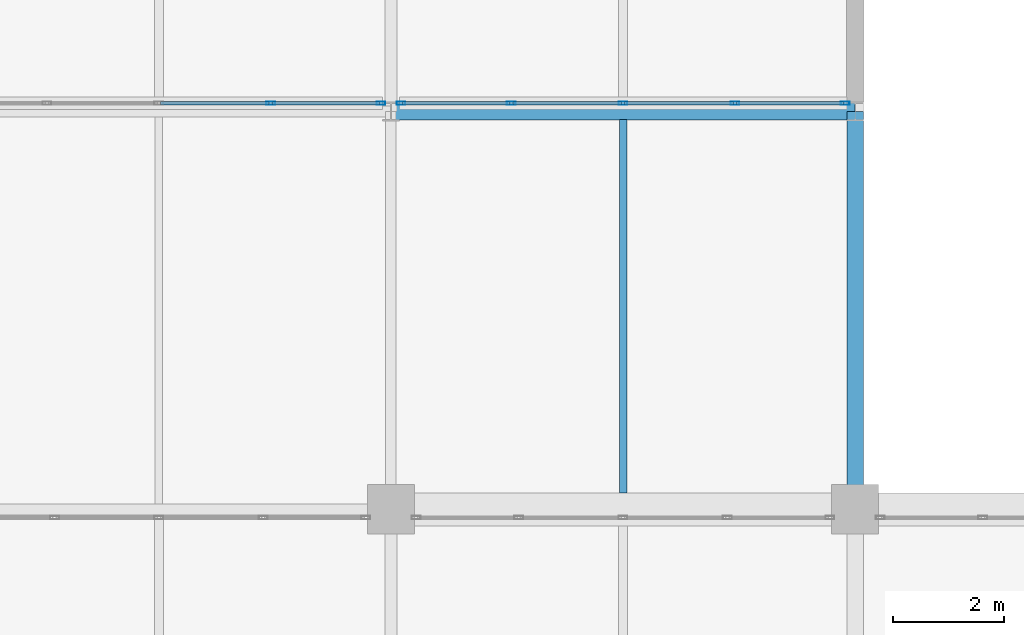
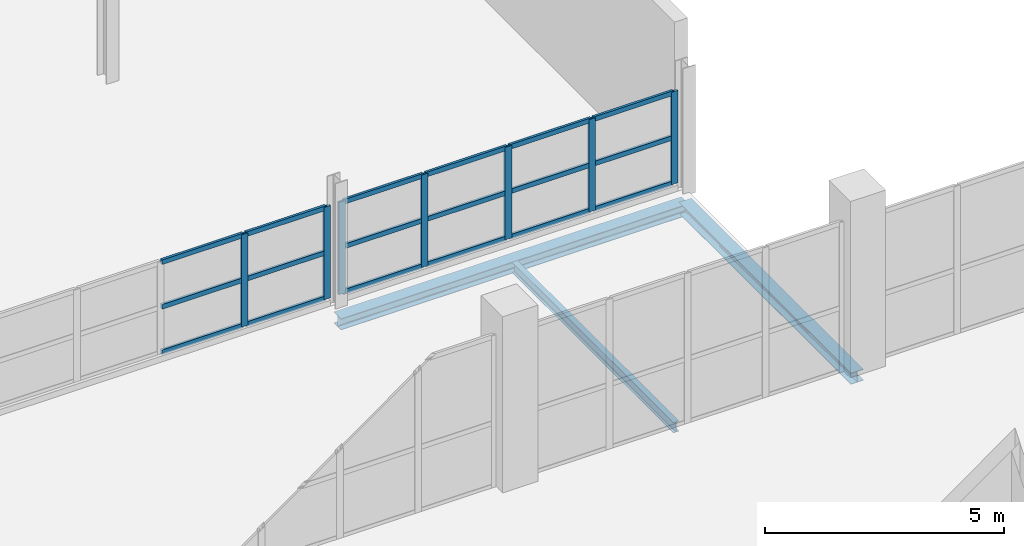
# One storey, part 42 of 103: 25 members, 3 beams, 2 elements without a shape of their own.
"""IFC4 building model written with IfcOpenShell, lengths in metres."""

from ifc_helpers import new_model, si_unit, direction, frame, origin, origin_2d, place, context, subcontext, project, spatial, hollow_rectangle, i_section, extrude, material, material_profile, profile_set, type_object, element, aggregate, save


model = new_model("IFC4")

# Units and contexts
model_context = context("Model", 3, precision=1e-05, world=origin(), true_north=direction((0.0, 1.0)))
body_context = subcontext(model_context, "Body", "Model", "MODEL_VIEW")
ifc_project = project(units=[si_unit("LENGTHUNIT", "METRE"), si_unit("AREAUNIT", "SQUARE_METRE"), si_unit("VOLUMEUNIT", "CUBIC_METRE"), si_unit("PLANEANGLEUNIT", "RADIAN"), si_unit("MASSUNIT", "GRAM", prefix="KILO")], contexts=[model_context])

# Site, building, storey
site_placement = place(None, origin())
site = spatial("IfcSite", under=ifc_project, at=site_placement, CompositionType="ELEMENT")
building_placement = place(site_placement, origin())
building = spatial("IfcBuilding", under=site, at=building_placement, Name="Veltarok Museum of Natural Sciences", CompositionType="ELEMENT")
storey_placement = place(building_placement, frame((0.0, 0.0, 21.89990234375)))
storey = spatial("IfcBuildingStorey", under=building, at=storey_placement, Name="L04", CompositionType="ELEMENT", Elevation=21.89990234375)

# Curtain wall, members
ifc_material_1 = material(Name="Low-iron triple insulated glass", Category="glass")
curtain_wall_type = type_object("IfcCurtainWallType", Name="Curtain Wall System CW-V2S-L04-810x236 (V2 South Setback L04 810x236cm)", PredefinedType="NOTDEFINED", material=ifc_material_1)
curtain_wall_1_placement = place(storey_placement, origin())
curtain_wall_1 = element("IfcCurtainWall", 1, at=curtain_wall_1_placement, inside=storey, type_object=curtain_wall_type, Name="Curtain Wall CW-V2S-L04-810x236 CW-0228", PredefinedType="NOTDEFINED")
ifc_material_2 = material(Name="Thermally broken anodised aluminium", Category="aluminium")
ifc_material_profile_1 = material_profile(ifc_material_2, hollow_rectangle(XDim=0.06005859375, YDim=0.1201171875, WallThickness=0.0048828125, at=origin_2d()), Name="CW TRANSOM 60x120x5")
ifc_profile_set_1 = profile_set([ifc_material_profile_1], Name="Thermally broken anodised aluminium")
member_type_1 = type_object("IfcMemberType", Name="Curtain Wall Horizontal Transom 60x120x5", PredefinedType="USERDEFINED", material=ifc_profile_set_1)
member_1_placement = place(storey_placement, frame((86.22998046875, 26.550048828125, 0.190185546875), z_axis=(1.0, 0.0, 0.0), x_axis=(0.0, 1.0, 0.0)))
member_1 = element("IfcMember", 2, at=member_1_placement, type_object=member_type_1, Name="CW-V2S-L04-810x236 transom 3.1", ObjectType="TRANSOM", PredefinedType="USERDEFINED", context=body_context, shape_type="SweptSolid", body=[
    extrude(hollow_rectangle(XDim=0.06005859375, YDim=0.1201171875, WallThickness=0.0048828125, at=origin_2d()), origin(), (0.0, 0.0, 1.0), 1.965087890625),
])
member_2_placement = place(storey_placement, frame((86.22998046875, 26.550048828125, 1.35009765625), z_axis=(1.0, 0.0, 0.0), x_axis=(0.0, 1.0, 0.0)))
member_2 = element("IfcMember", 3, at=member_2_placement, type_object=member_type_1, Name="CW-V2S-L04-810x236 transom 3.2", ObjectType="TRANSOM", PredefinedType="USERDEFINED", context=body_context, shape_type="SweptSolid", body=[
    extrude(hollow_rectangle(XDim=0.06005859375, YDim=0.1201171875, WallThickness=0.0048828125, at=origin_2d()), origin(), (0.0, 0.0, 1.0), 1.965087890625),
])
member_3_placement = place(storey_placement, frame((86.22998046875, 26.550048828125, 2.489990234375), z_axis=(1.0, 0.0, 0.0), x_axis=(0.0, 1.0, 0.0)))
member_3 = element("IfcMember", 4, at=member_3_placement, type_object=member_type_1, Name="CW-V2S-L04-810x236 transom 3.3", ObjectType="TRANSOM", PredefinedType="USERDEFINED", context=body_context, shape_type="SweptSolid", body=[
    extrude(hollow_rectangle(XDim=0.06005859375, YDim=0.1201171875, WallThickness=0.0048828125, at=origin_2d()), origin(), (0.0, 0.0, 1.0), 1.965087890625),
])
member_4_placement = place(storey_placement, frame((88.2548828125, 26.550048828125, 0.190185546875), z_axis=(1.0, 0.0, 0.0), x_axis=(0.0, 1.0, 0.0)))
member_4 = element("IfcMember", 5, at=member_4_placement, type_object=member_type_1, Name="CW-V2S-L04-810x236 transom 4.1", ObjectType="TRANSOM", PredefinedType="USERDEFINED", context=body_context, shape_type="SweptSolid", body=[
    extrude(hollow_rectangle(XDim=0.06005859375, YDim=0.1201171875, WallThickness=0.0048828125, at=origin_2d()), origin(), (0.0, 0.0, 1.0), 1.93505859375),
])
member_5_placement = place(storey_placement, frame((88.2548828125, 26.550048828125, 1.35009765625), z_axis=(1.0, 0.0, 0.0), x_axis=(0.0, 1.0, 0.0)))
member_5 = element("IfcMember", 6, at=member_5_placement, type_object=member_type_1, Name="CW-V2S-L04-810x236 transom 4.2", ObjectType="TRANSOM", PredefinedType="USERDEFINED", context=body_context, shape_type="SweptSolid", body=[
    extrude(hollow_rectangle(XDim=0.06005859375, YDim=0.1201171875, WallThickness=0.0048828125, at=origin_2d()), origin(), (0.0, 0.0, 1.0), 1.93505859375),
])
member_6_placement = place(storey_placement, frame((88.2548828125, 26.550048828125, 2.489990234375), z_axis=(1.0, 0.0, 0.0), x_axis=(0.0, 1.0, 0.0)))
member_6 = element("IfcMember", 7, at=member_6_placement, type_object=member_type_1, Name="CW-V2S-L04-810x236 transom 4.3", ObjectType="TRANSOM", PredefinedType="USERDEFINED", context=body_context, shape_type="SweptSolid", body=[
    extrude(hollow_rectangle(XDim=0.06005859375, YDim=0.1201171875, WallThickness=0.0048828125, at=origin_2d()), origin(), (0.0, 0.0, 1.0), 1.93505859375),
])

curtain_wall_2_placement = place(storey_placement, origin())
curtain_wall_2 = element("IfcCurtainWall", 8, at=curtain_wall_2_placement, inside=storey, type_object=curtain_wall_type, Name="Curtain Wall CW-V2S-L04-810x236 CW-0229", PredefinedType="NOTDEFINED")
member_7_placement = place(storey_placement, frame((90.610107421875, 26.550048828125, 0.190185546875), z_axis=(1.0, 0.0, 0.0), x_axis=(0.0, 1.0, 0.0)))
member_7 = element("IfcMember", 9, at=member_7_placement, type_object=member_type_1, Name="CW-V2S-L04-810x236 transom 1.1", ObjectType="TRANSOM", PredefinedType="USERDEFINED", context=body_context, shape_type="SweptSolid", body=[
    extrude(hollow_rectangle(XDim=0.06005859375, YDim=0.1201171875, WallThickness=0.0048828125, at=origin_2d()), origin(), (0.0, 0.0, 1.0), 1.934814453125),
])
member_8_placement = place(storey_placement, frame((90.610107421875, 26.550048828125, 1.35009765625), z_axis=(1.0, 0.0, 0.0), x_axis=(0.0, 1.0, 0.0)))
member_8 = element("IfcMember", 10, at=member_8_placement, type_object=member_type_1, Name="CW-V2S-L04-810x236 transom 1.2", ObjectType="TRANSOM", PredefinedType="USERDEFINED", context=body_context, shape_type="SweptSolid", body=[
    extrude(hollow_rectangle(XDim=0.06005859375, YDim=0.1201171875, WallThickness=0.0048828125, at=origin_2d()), origin(), (0.0, 0.0, 1.0), 1.934814453125),
])
member_9_placement = place(storey_placement, frame((90.610107421875, 26.550048828125, 2.489990234375), z_axis=(1.0, 0.0, 0.0), x_axis=(0.0, 1.0, 0.0)))
member_9 = element("IfcMember", 11, at=member_9_placement, type_object=member_type_1, Name="CW-V2S-L04-810x236 transom 1.3", ObjectType="TRANSOM", PredefinedType="USERDEFINED", context=body_context, shape_type="SweptSolid", body=[
    extrude(hollow_rectangle(XDim=0.06005859375, YDim=0.1201171875, WallThickness=0.0048828125, at=origin_2d()), origin(), (0.0, 0.0, 1.0), 1.934814453125),
])
member_10_placement = place(storey_placement, frame((92.60498046875, 26.550048828125, 0.190185546875), z_axis=(1.0, 0.0, 0.0), x_axis=(0.0, 1.0, 0.0)))
member_10 = element("IfcMember", 12, at=member_10_placement, type_object=member_type_1, Name="CW-V2S-L04-810x236 transom 2.1", ObjectType="TRANSOM", PredefinedType="USERDEFINED", context=body_context, shape_type="SweptSolid", body=[
    extrude(hollow_rectangle(XDim=0.06005859375, YDim=0.1201171875, WallThickness=0.0048828125, at=origin_2d()), origin(), (0.0, 0.0, 1.0), 1.965087890625),
])
member_11_placement = place(storey_placement, frame((92.60498046875, 26.550048828125, 1.35009765625), z_axis=(1.0, 0.0, 0.0), x_axis=(0.0, 1.0, 0.0)))
member_11 = element("IfcMember", 13, at=member_11_placement, type_object=member_type_1, Name="CW-V2S-L04-810x236 transom 2.2", ObjectType="TRANSOM", PredefinedType="USERDEFINED", context=body_context, shape_type="SweptSolid", body=[
    extrude(hollow_rectangle(XDim=0.06005859375, YDim=0.1201171875, WallThickness=0.0048828125, at=origin_2d()), origin(), (0.0, 0.0, 1.0), 1.965087890625),
])
member_12_placement = place(storey_placement, frame((92.60498046875, 26.550048828125, 2.489990234375), z_axis=(1.0, 0.0, 0.0), x_axis=(0.0, 1.0, 0.0)))
member_12 = element("IfcMember", 14, at=member_12_placement, type_object=member_type_1, Name="CW-V2S-L04-810x236 transom 2.3", ObjectType="TRANSOM", PredefinedType="USERDEFINED", context=body_context, shape_type="SweptSolid", body=[
    extrude(hollow_rectangle(XDim=0.06005859375, YDim=0.1201171875, WallThickness=0.0048828125, at=origin_2d()), origin(), (0.0, 0.0, 1.0), 1.965087890625),
])
member_13_placement = place(storey_placement, frame((94.6298828125, 26.550048828125, 0.190185546875), z_axis=(1.0, 0.0, 0.0), x_axis=(0.0, 1.0, 0.0)))
member_13 = element("IfcMember", 15, at=member_13_placement, type_object=member_type_1, Name="CW-V2S-L04-810x236 transom 3.1", ObjectType="TRANSOM", PredefinedType="USERDEFINED", context=body_context, shape_type="SweptSolid", body=[
    extrude(hollow_rectangle(XDim=0.06005859375, YDim=0.1201171875, WallThickness=0.0048828125, at=origin_2d()), origin(), (0.0, 0.0, 1.0), 1.965087890625),
])
member_14_placement = place(storey_placement, frame((94.6298828125, 26.550048828125, 1.35009765625), z_axis=(1.0, 0.0, 0.0), x_axis=(0.0, 1.0, 0.0)))
member_14 = element("IfcMember", 16, at=member_14_placement, type_object=member_type_1, Name="CW-V2S-L04-810x236 transom 3.2", ObjectType="TRANSOM", PredefinedType="USERDEFINED", context=body_context, shape_type="SweptSolid", body=[
    extrude(hollow_rectangle(XDim=0.06005859375, YDim=0.1201171875, WallThickness=0.0048828125, at=origin_2d()), origin(), (0.0, 0.0, 1.0), 1.965087890625),
])
member_15_placement = place(storey_placement, frame((94.6298828125, 26.550048828125, 2.489990234375), z_axis=(1.0, 0.0, 0.0), x_axis=(0.0, 1.0, 0.0)))
member_15 = element("IfcMember", 17, at=member_15_placement, type_object=member_type_1, Name="CW-V2S-L04-810x236 transom 3.3", ObjectType="TRANSOM", PredefinedType="USERDEFINED", context=body_context, shape_type="SweptSolid", body=[
    extrude(hollow_rectangle(XDim=0.06005859375, YDim=0.1201171875, WallThickness=0.0048828125, at=origin_2d()), origin(), (0.0, 0.0, 1.0), 1.965087890625),
])
member_16_placement = place(storey_placement, frame((96.655029296875, 26.550048828125, 0.190185546875), z_axis=(1.0, 0.0, 0.0), x_axis=(0.0, 1.0, 0.0)))
member_16 = element("IfcMember", 18, at=member_16_placement, type_object=member_type_1, Name="CW-V2S-L04-810x236 transom 4.1", ObjectType="TRANSOM", PredefinedType="USERDEFINED", context=body_context, shape_type="SweptSolid", body=[
    extrude(hollow_rectangle(XDim=0.06005859375, YDim=0.1201171875, WallThickness=0.0048828125, at=origin_2d()), origin(), (0.0, 0.0, 1.0), 1.93505859375),
])
member_17_placement = place(storey_placement, frame((96.655029296875, 26.550048828125, 1.35009765625), z_axis=(1.0, 0.0, 0.0), x_axis=(0.0, 1.0, 0.0)))
member_17 = element("IfcMember", 19, at=member_17_placement, type_object=member_type_1, Name="CW-V2S-L04-810x236 transom 4.2", ObjectType="TRANSOM", PredefinedType="USERDEFINED", context=body_context, shape_type="SweptSolid", body=[
    extrude(hollow_rectangle(XDim=0.06005859375, YDim=0.1201171875, WallThickness=0.0048828125, at=origin_2d()), origin(), (0.0, 0.0, 1.0), 1.93505859375),
])
member_18_placement = place(storey_placement, frame((96.655029296875, 26.550048828125, 2.489990234375), z_axis=(1.0, 0.0, 0.0), x_axis=(0.0, 1.0, 0.0)))
member_18 = element("IfcMember", 20, at=member_18_placement, type_object=member_type_1, Name="CW-V2S-L04-810x236 transom 4.3", ObjectType="TRANSOM", PredefinedType="USERDEFINED", context=body_context, shape_type="SweptSolid", body=[
    extrude(hollow_rectangle(XDim=0.06005859375, YDim=0.1201171875, WallThickness=0.0048828125, at=origin_2d()), origin(), (0.0, 0.0, 1.0), 1.93505859375),
])

# Member
ifc_material_profile_2 = material_profile(ifc_material_2, hollow_rectangle(XDim=0.06005859375, YDim=0.159912109375, WallThickness=0.0048828125, at=origin_2d()), Name="CW MULLION 60x160x5")
ifc_profile_set_2 = profile_set([ifc_material_profile_2], Name="Thermally broken anodised aluminium")
member_type_2 = type_object("IfcMemberType", Name="Curtain Wall Vertical Mullion 60x160x5", PredefinedType="MULLION", material=ifc_profile_set_2)
member_19_placement = place(storey_placement, frame((88.22509765625, 26.550048828125, 0.16015625), z_axis=(0.0, 0.0, 1.0), x_axis=(0.0, 1.0, 0.0)))
member_19 = element("IfcMember", 21, at=member_19_placement, type_object=member_type_2, Name="CW-V2S-L04-810x236 mullion 4", PredefinedType="MULLION", context=body_context, shape_type="SweptSolid", body=[
    extrude(hollow_rectangle(XDim=0.06005859375, YDim=0.159912109375, WallThickness=0.0048828125, at=origin_2d()), origin(), (0.0, 0.0, 1.0), 2.35986328125),
])

member_20_placement = place(storey_placement, frame((90.219970703125, 26.550048828125, 0.16015625), z_axis=(0.0, 0.0, 1.0), x_axis=(0.0, 1.0, 0.0)))
member_20 = element("IfcMember", 22, at=member_20_placement, type_object=member_type_2, Name="CW-V2S-L04-810x236 mullion 5", PredefinedType="MULLION", context=body_context, shape_type="SweptSolid", body=[
    extrude(hollow_rectangle(XDim=0.06005859375, YDim=0.159912109375, WallThickness=0.0048828125, at=origin_2d()), origin(), (0.0, 0.0, 1.0), 2.35986328125),
])

aggregate(curtain_wall_1, [member_19, member_20, member_1, member_2, member_3, member_4, member_5, member_6])

member_21_placement = place(storey_placement, frame((90.580078125, 26.550048828125, 0.16015625), z_axis=(0.0, 0.0, 1.0), x_axis=(0.0, 1.0, 0.0)))
member_21 = element("IfcMember", 23, at=member_21_placement, type_object=member_type_2, Name="CW-V2S-L04-810x236 mullion 1", PredefinedType="MULLION", context=body_context, shape_type="SweptSolid", body=[
    extrude(hollow_rectangle(XDim=0.06005859375, YDim=0.159912109375, WallThickness=0.0048828125, at=origin_2d()), origin(), (0.0, 0.0, 1.0), 2.35986328125),
])

member_22_placement = place(storey_placement, frame((92.574951171875, 26.550048828125, 0.16015625), z_axis=(0.0, 0.0, 1.0), x_axis=(0.0, 1.0, 0.0)))
member_22 = element("IfcMember", 24, at=member_22_placement, type_object=member_type_2, Name="CW-V2S-L04-810x236 mullion 2", PredefinedType="MULLION", context=body_context, shape_type="SweptSolid", body=[
    extrude(hollow_rectangle(XDim=0.06005859375, YDim=0.159912109375, WallThickness=0.0048828125, at=origin_2d()), origin(), (0.0, 0.0, 1.0), 2.35986328125),
])

member_23_placement = place(storey_placement, frame((94.60009765625, 26.550048828125, 0.16015625), z_axis=(0.0, 0.0, 1.0), x_axis=(0.0, 1.0, 0.0)))
member_23 = element("IfcMember", 25, at=member_23_placement, type_object=member_type_2, Name="CW-V2S-L04-810x236 mullion 3", PredefinedType="MULLION", context=body_context, shape_type="SweptSolid", body=[
    extrude(hollow_rectangle(XDim=0.06005859375, YDim=0.159912109375, WallThickness=0.0048828125, at=origin_2d()), origin(), (0.0, 0.0, 1.0), 2.35986328125),
])

member_24_placement = place(storey_placement, frame((96.625, 26.550048828125, 0.16015625), z_axis=(0.0, 0.0, 1.0), x_axis=(0.0, 1.0, 0.0)))
member_24 = element("IfcMember", 26, at=member_24_placement, type_object=member_type_2, Name="CW-V2S-L04-810x236 mullion 4", PredefinedType="MULLION", context=body_context, shape_type="SweptSolid", body=[
    extrude(hollow_rectangle(XDim=0.06005859375, YDim=0.159912109375, WallThickness=0.0048828125, at=origin_2d()), origin(), (0.0, 0.0, 1.0), 2.35986328125),
])

member_25_placement = place(storey_placement, frame((98.6201171875, 26.550048828125, 0.16015625), z_axis=(0.0, 0.0, 1.0), x_axis=(0.0, 1.0, 0.0)))
member_25 = element("IfcMember", 27, at=member_25_placement, type_object=member_type_2, Name="CW-V2S-L04-810x236 mullion 5", PredefinedType="MULLION", context=body_context, shape_type="SweptSolid", body=[
    extrude(hollow_rectangle(XDim=0.06005859375, YDim=0.159912109375, WallThickness=0.0048828125, at=origin_2d()), origin(), (0.0, 0.0, 1.0), 2.35986328125),
])

aggregate(curtain_wall_2, [member_21, member_22, member_23, member_24, member_25, member_7, member_8, member_9, member_10, member_11, member_12, member_13, member_14, member_15, member_16, member_17, member_18])

# Beams
ifc_material_3 = material(Name="Steel S355J2", Category="steel")
ifc_material_profile_3 = material_profile(ifc_material_3, i_section(OverallWidth=0.300048828125, OverallDepth=0.2900390625, WebThickness=0.008544921875, FlangeThickness=0.013916015625, FilletRadius=0.027099609375, at=origin_2d()), Name="HEA 300")
ifc_profile_set_3 = profile_set([ifc_material_profile_3], Name="Steel S355J2")
beam_type_1 = type_object("IfcBeamType", Name="Glazed Hall Edge Spandrel HEA 300", PredefinedType="SPANDREL", material=ifc_profile_set_3)
beam_1_placement = place(storey_placement, frame((90.39990234375, 26.39990234375, -0.39501953125), z_axis=(1.0, 0.0, 0.0), x_axis=(0.0, 1.0, 0.0)))
element("IfcBeam", 28, at=beam_1_placement, inside=storey, type_object=beam_type_1, Name="Beam BM-SP03 L04 11-12/D", PredefinedType="SPANDREL", context=body_context, shape_type="SweptSolid", body=[
    extrude(i_section(OverallWidth=0.300048828125, OverallDepth=0.2900390625, WebThickness=0.008544921875, FlangeThickness=0.013916015625, FilletRadius=0.027099609375, at=origin_2d()), origin(), (0.0, 0.0, 1.0), 8.400146484375),
])
beam_2_placement = place(storey_placement, frame((98.800048828125, 19.199951171875, -0.39501953125), z_axis=(0.0, 1.0, 0.0), x_axis=(-1.0, 0.0, 0.0)))
element("IfcBeam", 29, at=beam_2_placement, inside=storey, type_object=beam_type_1, Name="Beam BM-SP03 L04 12/C-D", PredefinedType="SPANDREL", context=body_context, shape_type="SweptSolid", body=[
    extrude(i_section(OverallWidth=0.300048828125, OverallDepth=0.2900390625, WebThickness=0.008544921875, FlangeThickness=0.013916015625, FilletRadius=0.027099609375, at=origin_2d()), origin(), (0.0, 0.0, 1.0), 7.199951171875),
])
ifc_material_profile_4 = material_profile(ifc_material_3, i_section(OverallWidth=0.135009765625, OverallDepth=0.27001953125, WebThickness=0.006591796875, FlangeThickness=0.01025390625, FilletRadius=0.014892578125, at=origin_2d()), Name="IPE 270")
ifc_profile_set_4 = profile_set([ifc_material_profile_4], Name="Steel S355J2")
beam_type_2 = type_object("IfcBeamType", Name="Short-Bay Composite Joist IPE 270", PredefinedType="JOIST", material=ifc_profile_set_4)
beam_3_placement = place(storey_placement, frame((94.60009765625, 19.498046875, -0.385009765625), z_axis=(0.0, 1.0, 0.0), x_axis=(-1.0, 0.0, 0.0)))
element("IfcBeam", 30, at=beam_3_placement, inside=storey, type_object=beam_type_2, Name="Secondary Joist BM-J04 L04 11-12/C-D.1", PredefinedType="JOIST", context=body_context, shape_type="SweptSolid", body=[
    extrude(i_section(OverallWidth=0.135009765625, OverallDepth=0.27001953125, WebThickness=0.006591796875, FlangeThickness=0.01025390625, FilletRadius=0.014892578125, at=origin_2d()), origin(), (0.0, 0.0, 1.0), 6.75390625),
])

save(model, "model.ifc")
